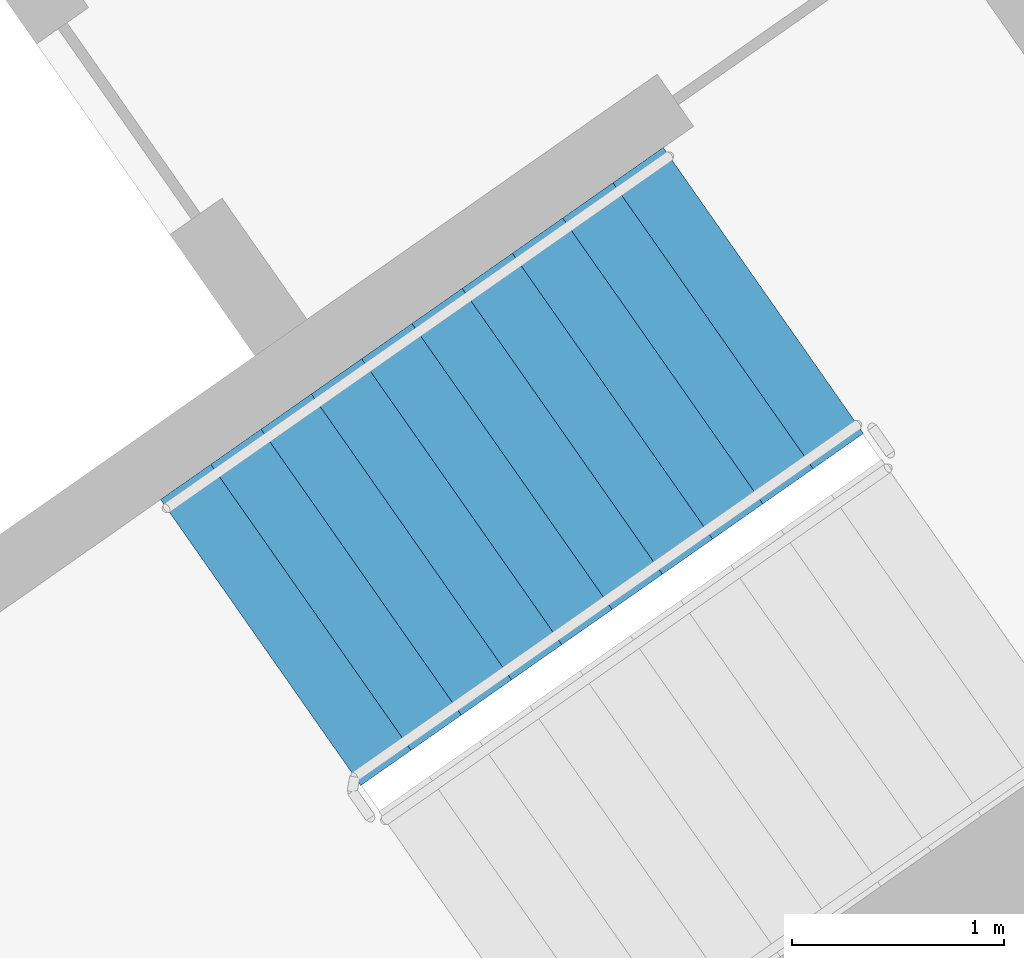
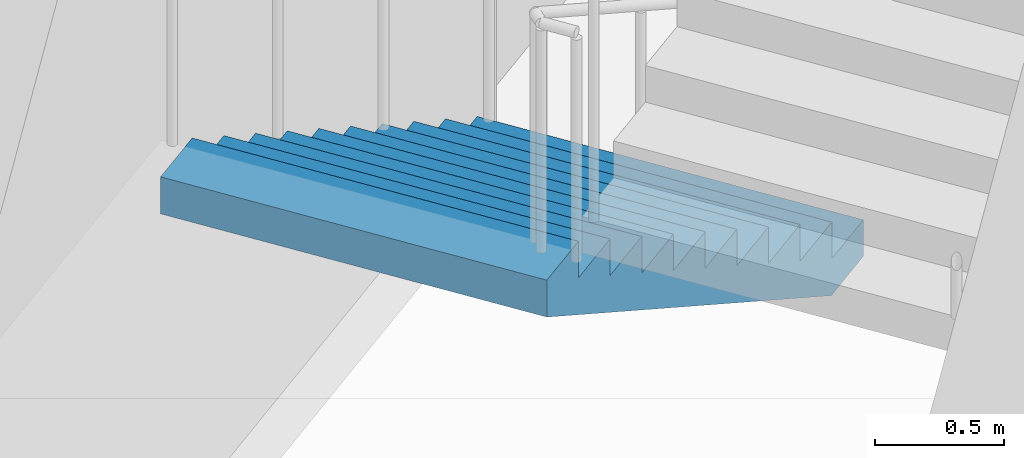
# One storey, part 17 of 32: 1 stair flight, 1 element without a shape of its own.
"""IFC4 building model written with IfcOpenShell, lengths in metres."""

from ifc_helpers import new_model, si_unit, direction, frame, origin, place, context, subcontext, project, spatial, faceted_brep, material, type_object, element, aggregate, save


model = new_model("IFC4")

# Units and contexts
model_context = context("Model", 3, precision=1e-05, world=origin(), true_north=direction((0.0, 1.0)))
body_context = subcontext(model_context, "Body", "Model", "MODEL_VIEW")
ifc_project = project(units=[si_unit("LENGTHUNIT", "METRE"), si_unit("AREAUNIT", "SQUARE_METRE"), si_unit("VOLUMEUNIT", "CUBIC_METRE"), si_unit("PLANEANGLEUNIT", "RADIAN"), si_unit("MASSUNIT", "GRAM", prefix="KILO")], contexts=[model_context])

# Site, building, storey
site_placement = place(None, origin())
site = spatial("IfcSite", under=ifc_project, at=site_placement, CompositionType="ELEMENT")
building_placement = place(site_placement, origin())
building = spatial("IfcBuilding", under=site, at=building_placement, Name="Qamariyya Broadcast Tower", CompositionType="ELEMENT")
storey_placement = place(building_placement, frame((0.0, 0.0, 63.300048828125)))
storey = spatial("IfcBuildingStorey", under=building, at=storey_placement, Name="L12", CompositionType="ELEMENT", Elevation=63.300048828125)

# Stair, stair flight
ifc_material = material(Name="Concrete C50/60", Category="concrete")
stair_type = type_object("IfcStairType", Name="Exit stair 22 risers of 173 mm", PredefinedType="HALF_TURN_STAIR", material=ifc_material)
stair_placement = place(storey_placement, origin())
stair = element("IfcStair", 1, at=stair_placement, inside=storey, type_object=stair_type, Name="L12 Stair E1", PredefinedType="HALF_TURN_STAIR")
stair_flight_type = type_object("IfcStairFlightType", Name="Exit stair flight 11 risers of 173 mm", PredefinedType="STRAIGHT", material=ifc_material)
stair_flight_placement = place(storey_placement, frame((46.036376953125, -55.508056640625, 0.0), z_axis=(0.0, 0.0, 1.0), x_axis=(-0.819152044289, -0.573576436351, 0.0)))
stair_flight = element("IfcStairFlight", 2, at=stair_flight_placement, type_object=stair_flight_type, Name="ST-E1 flight 1", NumberOfRisers=11, NumberOfTreads=10, PredefinedType="STRAIGHT", RiserHeight=0.172727273, TreadLength=0.29, context=body_context, shape_type="Brep", body=[
    faceted_brep([(0.0, 0.824951171875, 0.0), (0.0, 0.824951171875, 0.172607421875), (0.2900390625, 0.824951171875, 0.172607421875), (0.2900390625, 0.824951171875, 0.345458984375), (0.580078125, 0.824951171875, 0.345458984375), (0.580078125, 0.824951171875, 0.51806640625), (0.8701171875, 0.824951171875, 0.51806640625), (0.8701171875, 0.824951171875, 0.69091796875), (1.159912109375, 0.824951171875, 0.69091796875), (1.159912109375, 0.824951171875, 0.863525390625), (1.449951171875, 0.824951171875, 0.863525390625), (1.449951171875, 0.824951171875, 1.036376953125), (1.739990234375, 0.824951171875, 1.036376953125), (1.739990234375, 0.824951171875, 1.208984375), (2.030029296875, 0.824951171875, 1.208984375), (2.030029296875, 0.824951171875, 1.3818359375), (2.320068359375, 0.824951171875, 1.3818359375), (2.320068359375, 0.824951171875, 1.554443359375), (2.610107421875, 0.824951171875, 1.554443359375), (2.610107421875, 0.824951171875, 1.727294921875), (2.89990234375, 0.824951171875, 1.727294921875), (2.89990234375, 0.824951171875, 1.552734375), (0.29296875, 0.824951171875, 0.0), (0.29296875, -0.824951171875, 0.0), (2.89990234375, -0.824951171875, 1.552734375), (2.89990234375, -0.824951171875, 1.727294921875), (2.610107421875, -0.824951171875, 1.727294921875), (2.610107421875, -0.824951171875, 1.554443359375), (2.320068359375, -0.824951171875, 1.554443359375), (2.320068359375, -0.824951171875, 1.3818359375), (2.030029296875, -0.824951171875, 1.3818359375), (2.030029296875, -0.824951171875, 1.208984375), (1.739990234375, -0.824951171875, 1.208984375), (1.739990234375, -0.824951171875, 1.036376953125), (1.449951171875, -0.824951171875, 1.036376953125), (1.449951171875, -0.824951171875, 0.863525390625), (1.159912109375, -0.824951171875, 0.863525390625), (1.159912109375, -0.824951171875, 0.69091796875), (0.8701171875, -0.824951171875, 0.69091796875), (0.8701171875, -0.824951171875, 0.51806640625), (0.580078125, -0.824951171875, 0.51806640625), (0.580078125, -0.824951171875, 0.345458984375), (0.2900390625, -0.824951171875, 0.345458984375), (0.2900390625, -0.824951171875, 0.172607421875), (0.0, -0.824951171875, 0.172607421875), (0.0, -0.824951171875, 0.0), (0.0, 0.10009765625, 0.0), (0.0, 0.086669921875, 0.0), (0.0, 0.0732421875, 0.0), (0.0, 0.06005859375, 0.0), (0.0, 0.046630859375, 0.0), (0.0, 0.033447265625, 0.0), (0.0, 0.02001953125, 0.0), (0.0, 0.006591796875, 0.0), (0.0, -0.006591796875, 0.0), (0.0, -0.02001953125, 0.0), (0.0, -0.033447265625, 0.0), (0.0, -0.046630859375, 0.0), (0.0, -0.06005859375, 0.0), (0.0, -0.0732421875, 0.0), (0.0, -0.086669921875, 0.0), (0.0, -0.10009765625, 0.0), (0.0, -0.10009765625, 0.172607421875), (0.0, -0.086669921875, 0.172607421875), (0.0, -0.0732421875, 0.172607421875), (0.0, -0.06005859375, 0.172607421875), (0.0, -0.046630859375, 0.172607421875), (0.0, -0.033447265625, 0.172607421875), (0.0, -0.02001953125, 0.172607421875), (0.0, -0.006591796875, 0.172607421875), (0.0, 0.006591796875, 0.172607421875), (0.0, 0.02001953125, 0.172607421875), (0.0, 0.033447265625, 0.172607421875), (0.0, 0.046630859375, 0.172607421875), (0.0, 0.06005859375, 0.172607421875), (0.0, 0.0732421875, 0.172607421875), (0.0, 0.086669921875, 0.172607421875), (0.0, 0.10009765625, 0.172607421875), (0.2900390625, -0.10009765625, 0.172607421875), (0.2900390625, -0.086669921875, 0.172607421875), (0.2900390625, -0.0732421875, 0.172607421875), (0.2900390625, -0.06005859375, 0.172607421875), (0.2900390625, -0.046630859375, 0.172607421875), (0.2900390625, -0.033447265625, 0.172607421875), (0.2900390625, -0.02001953125, 0.172607421875), (0.2900390625, -0.006591796875, 0.172607421875), (0.2900390625, 0.006591796875, 0.172607421875), (0.2900390625, 0.02001953125, 0.172607421875), (0.2900390625, 0.033447265625, 0.172607421875), (0.2900390625, 0.046630859375, 0.172607421875), (0.2900390625, 0.06005859375, 0.172607421875), (0.2900390625, 0.0732421875, 0.172607421875), (0.2900390625, 0.086669921875, 0.172607421875), (0.2900390625, 0.10009765625, 0.172607421875), (0.2900390625, -0.10009765625, 0.345458984375), (0.2900390625, -0.086669921875, 0.345458984375), (0.2900390625, -0.0732421875, 0.345458984375), (0.2900390625, -0.06005859375, 0.345458984375), (0.2900390625, -0.046630859375, 0.345458984375), (0.2900390625, -0.033447265625, 0.345458984375), (0.2900390625, -0.02001953125, 0.345458984375), (0.2900390625, -0.006591796875, 0.345458984375), (0.2900390625, 0.006591796875, 0.345458984375), (0.2900390625, 0.02001953125, 0.345458984375), (0.2900390625, 0.033447265625, 0.345458984375), (0.2900390625, 0.046630859375, 0.345458984375), (0.2900390625, 0.06005859375, 0.345458984375), (0.2900390625, 0.0732421875, 0.345458984375), (0.2900390625, 0.086669921875, 0.345458984375), (0.2900390625, 0.10009765625, 0.345458984375), (0.580078125, -0.10009765625, 0.345458984375), (0.580078125, -0.086669921875, 0.345458984375), (0.580078125, -0.0732421875, 0.345458984375), (0.580078125, -0.06005859375, 0.345458984375), (0.580078125, -0.046630859375, 0.345458984375), (0.580078125, -0.033447265625, 0.345458984375), (0.580078125, -0.02001953125, 0.345458984375), (0.580078125, -0.006591796875, 0.345458984375), (0.580078125, 0.006591796875, 0.345458984375), (0.580078125, 0.02001953125, 0.345458984375), (0.580078125, 0.033447265625, 0.345458984375), (0.580078125, 0.046630859375, 0.345458984375), (0.580078125, 0.06005859375, 0.345458984375), (0.580078125, 0.0732421875, 0.345458984375), (0.580078125, 0.086669921875, 0.345458984375), (0.580078125, 0.10009765625, 0.345458984375), (0.580078125, -0.10009765625, 0.51806640625), (0.580078125, -0.086669921875, 0.51806640625), (0.580078125, -0.0732421875, 0.51806640625), (0.580078125, -0.06005859375, 0.51806640625), (0.580078125, -0.046630859375, 0.51806640625), (0.580078125, -0.033447265625, 0.51806640625), (0.580078125, -0.02001953125, 0.51806640625), (0.580078125, -0.006591796875, 0.51806640625), (0.580078125, 0.006591796875, 0.51806640625), (0.580078125, 0.02001953125, 0.51806640625), (0.580078125, 0.033447265625, 0.51806640625), (0.580078125, 0.046630859375, 0.51806640625), (0.580078125, 0.06005859375, 0.51806640625), (0.580078125, 0.0732421875, 0.51806640625), (0.580078125, 0.086669921875, 0.51806640625), (0.580078125, 0.10009765625, 0.51806640625), (0.8701171875, -0.10009765625, 0.51806640625), (0.8701171875, -0.086669921875, 0.51806640625), (0.8701171875, -0.0732421875, 0.51806640625), (0.8701171875, -0.06005859375, 0.51806640625), (0.8701171875, -0.046630859375, 0.51806640625), (0.8701171875, -0.033447265625, 0.51806640625), (0.8701171875, -0.02001953125, 0.51806640625), (0.8701171875, -0.006591796875, 0.51806640625), (0.8701171875, 0.006591796875, 0.51806640625), (0.8701171875, 0.02001953125, 0.51806640625), (0.8701171875, 0.033447265625, 0.51806640625), (0.8701171875, 0.046630859375, 0.51806640625), (0.8701171875, 0.06005859375, 0.51806640625), (0.8701171875, 0.0732421875, 0.51806640625), (0.8701171875, 0.086669921875, 0.51806640625), (0.8701171875, 0.10009765625, 0.51806640625), (0.8701171875, -0.10009765625, 0.69091796875), (0.8701171875, -0.086669921875, 0.69091796875), (0.8701171875, -0.0732421875, 0.69091796875), (0.8701171875, -0.06005859375, 0.69091796875), (0.8701171875, -0.046630859375, 0.69091796875), (0.8701171875, -0.033447265625, 0.69091796875), (0.8701171875, -0.02001953125, 0.69091796875), (0.8701171875, -0.006591796875, 0.69091796875), (0.8701171875, 0.006591796875, 0.69091796875), (0.8701171875, 0.02001953125, 0.69091796875), (0.8701171875, 0.033447265625, 0.69091796875), (0.8701171875, 0.046630859375, 0.69091796875), (0.8701171875, 0.06005859375, 0.69091796875), (0.8701171875, 0.0732421875, 0.69091796875), (0.8701171875, 0.086669921875, 0.69091796875), (0.8701171875, 0.10009765625, 0.69091796875), (1.159912109375, -0.10009765625, 0.69091796875), (1.159912109375, -0.086669921875, 0.69091796875), (1.159912109375, -0.0732421875, 0.69091796875), (1.159912109375, -0.06005859375, 0.69091796875), (1.159912109375, -0.046630859375, 0.69091796875), (1.159912109375, -0.033447265625, 0.69091796875), (1.159912109375, -0.02001953125, 0.69091796875), (1.159912109375, -0.006591796875, 0.69091796875), (1.159912109375, 0.006591796875, 0.69091796875), (1.159912109375, 0.02001953125, 0.69091796875), (1.159912109375, 0.033447265625, 0.69091796875), (1.159912109375, 0.046630859375, 0.69091796875), (1.159912109375, 0.06005859375, 0.69091796875), (1.159912109375, 0.0732421875, 0.69091796875), (1.159912109375, 0.086669921875, 0.69091796875), (1.159912109375, 0.10009765625, 0.69091796875), (1.159912109375, -0.10009765625, 0.863525390625), (1.159912109375, -0.086669921875, 0.863525390625), (1.159912109375, -0.0732421875, 0.863525390625), (1.159912109375, -0.06005859375, 0.863525390625), (1.159912109375, -0.046630859375, 0.863525390625), (1.159912109375, -0.033447265625, 0.863525390625), (1.159912109375, -0.02001953125, 0.863525390625), (1.159912109375, -0.006591796875, 0.863525390625), (1.159912109375, 0.006591796875, 0.863525390625), (1.159912109375, 0.02001953125, 0.863525390625), (1.159912109375, 0.033447265625, 0.863525390625), (1.159912109375, 0.046630859375, 0.863525390625), (1.159912109375, 0.06005859375, 0.863525390625), (1.159912109375, 0.0732421875, 0.863525390625), (1.159912109375, 0.086669921875, 0.863525390625), (1.159912109375, 0.10009765625, 0.863525390625), (1.449951171875, -0.10009765625, 0.863525390625), (1.449951171875, -0.086669921875, 0.863525390625), (1.449951171875, -0.0732421875, 0.863525390625), (1.449951171875, -0.06005859375, 0.863525390625), (1.449951171875, -0.046630859375, 0.863525390625), (1.449951171875, -0.033447265625, 0.863525390625), (1.449951171875, -0.02001953125, 0.863525390625), (1.449951171875, -0.006591796875, 0.863525390625), (1.449951171875, 0.006591796875, 0.863525390625), (1.449951171875, 0.02001953125, 0.863525390625), (1.449951171875, 0.033447265625, 0.863525390625), (1.449951171875, 0.046630859375, 0.863525390625), (1.449951171875, 0.06005859375, 0.863525390625), (1.449951171875, 0.0732421875, 0.863525390625), (1.449951171875, 0.086669921875, 0.863525390625), (1.449951171875, 0.10009765625, 0.863525390625), (1.449951171875, -0.10009765625, 1.036376953125), (1.449951171875, -0.086669921875, 1.036376953125), (1.449951171875, -0.0732421875, 1.036376953125), (1.449951171875, -0.06005859375, 1.036376953125), (1.449951171875, -0.046630859375, 1.036376953125), (1.449951171875, -0.033447265625, 1.036376953125), (1.449951171875, -0.02001953125, 1.036376953125), (1.449951171875, -0.006591796875, 1.036376953125), (1.449951171875, 0.006591796875, 1.036376953125), (1.449951171875, 0.02001953125, 1.036376953125), (1.449951171875, 0.033447265625, 1.036376953125), (1.449951171875, 0.046630859375, 1.036376953125), (1.449951171875, 0.06005859375, 1.036376953125), (1.449951171875, 0.0732421875, 1.036376953125), (1.449951171875, 0.086669921875, 1.036376953125), (1.449951171875, 0.10009765625, 1.036376953125), (1.739990234375, -0.10009765625, 1.036376953125), (1.739990234375, -0.086669921875, 1.036376953125), (1.739990234375, -0.0732421875, 1.036376953125), (1.739990234375, -0.06005859375, 1.036376953125), (1.739990234375, -0.046630859375, 1.036376953125), (1.739990234375, -0.033447265625, 1.036376953125), (1.739990234375, -0.02001953125, 1.036376953125), (1.739990234375, -0.006591796875, 1.036376953125), (1.739990234375, 0.006591796875, 1.036376953125), (1.739990234375, 0.02001953125, 1.036376953125), (1.739990234375, 0.033447265625, 1.036376953125), (1.739990234375, 0.046630859375, 1.036376953125), (1.739990234375, 0.06005859375, 1.036376953125), (1.739990234375, 0.0732421875, 1.036376953125), (1.739990234375, 0.086669921875, 1.036376953125), (1.739990234375, 0.10009765625, 1.036376953125), (1.739990234375, -0.10009765625, 1.208984375), (1.739990234375, -0.086669921875, 1.208984375), (1.739990234375, -0.0732421875, 1.208984375), (1.739990234375, -0.06005859375, 1.208984375), (1.739990234375, -0.046630859375, 1.208984375), (1.739990234375, -0.033447265625, 1.208984375), (1.739990234375, -0.02001953125, 1.208984375), (1.739990234375, -0.006591796875, 1.208984375), (1.739990234375, 0.006591796875, 1.208984375), (1.739990234375, 0.02001953125, 1.208984375), (1.739990234375, 0.033447265625, 1.208984375), (1.739990234375, 0.046630859375, 1.208984375), (1.739990234375, 0.06005859375, 1.208984375), (1.739990234375, 0.0732421875, 1.208984375), (1.739990234375, 0.086669921875, 1.208984375), (1.739990234375, 0.10009765625, 1.208984375), (2.030029296875, -0.10009765625, 1.208984375), (2.030029296875, -0.086669921875, 1.208984375), (2.030029296875, -0.0732421875, 1.208984375), (2.030029296875, -0.06005859375, 1.208984375), (2.030029296875, -0.046630859375, 1.208984375), (2.030029296875, -0.033447265625, 1.208984375), (2.030029296875, -0.02001953125, 1.208984375), (2.030029296875, -0.006591796875, 1.208984375), (2.030029296875, 0.006591796875, 1.208984375), (2.030029296875, 0.02001953125, 1.208984375), (2.030029296875, 0.033447265625, 1.208984375), (2.030029296875, 0.046630859375, 1.208984375), (2.030029296875, 0.06005859375, 1.208984375), (2.030029296875, 0.0732421875, 1.208984375), (2.030029296875, 0.086669921875, 1.208984375), (2.030029296875, 0.10009765625, 1.208984375), (2.030029296875, -0.10009765625, 1.3818359375), (2.030029296875, -0.086669921875, 1.3818359375), (2.030029296875, -0.0732421875, 1.3818359375), (2.030029296875, -0.06005859375, 1.3818359375), (2.030029296875, -0.046630859375, 1.3818359375), (2.030029296875, -0.033447265625, 1.3818359375), (2.030029296875, -0.02001953125, 1.3818359375), (2.030029296875, -0.006591796875, 1.3818359375), (2.030029296875, 0.006591796875, 1.3818359375), (2.030029296875, 0.02001953125, 1.3818359375), (2.030029296875, 0.033447265625, 1.3818359375), (2.030029296875, 0.046630859375, 1.3818359375), (2.030029296875, 0.06005859375, 1.3818359375), (2.030029296875, 0.0732421875, 1.3818359375), (2.030029296875, 0.086669921875, 1.3818359375), (2.030029296875, 0.10009765625, 1.3818359375), (2.320068359375, -0.10009765625, 1.3818359375), (2.320068359375, -0.086669921875, 1.3818359375), (2.320068359375, -0.0732421875, 1.3818359375), (2.320068359375, -0.06005859375, 1.3818359375), (2.320068359375, -0.046630859375, 1.3818359375), (2.320068359375, -0.033447265625, 1.3818359375), (2.320068359375, -0.02001953125, 1.3818359375), (2.320068359375, -0.006591796875, 1.3818359375), (2.320068359375, 0.006591796875, 1.3818359375), (2.320068359375, 0.02001953125, 1.3818359375), (2.320068359375, 0.033447265625, 1.3818359375), (2.320068359375, 0.046630859375, 1.3818359375), (2.320068359375, 0.06005859375, 1.3818359375), (2.320068359375, 0.0732421875, 1.3818359375), (2.320068359375, 0.086669921875, 1.3818359375), (2.320068359375, 0.10009765625, 1.3818359375), (2.320068359375, -0.10009765625, 1.554443359375), (2.320068359375, -0.086669921875, 1.554443359375), (2.320068359375, -0.0732421875, 1.554443359375), (2.320068359375, -0.06005859375, 1.554443359375), (2.320068359375, -0.046630859375, 1.554443359375), (2.320068359375, -0.033447265625, 1.554443359375), (2.320068359375, -0.02001953125, 1.554443359375), (2.320068359375, -0.006591796875, 1.554443359375), (2.320068359375, 0.006591796875, 1.554443359375), (2.320068359375, 0.02001953125, 1.554443359375), (2.320068359375, 0.033447265625, 1.554443359375), (2.320068359375, 0.046630859375, 1.554443359375), (2.320068359375, 0.06005859375, 1.554443359375), (2.320068359375, 0.0732421875, 1.554443359375), (2.320068359375, 0.086669921875, 1.554443359375), (2.320068359375, 0.10009765625, 1.554443359375), (2.610107421875, -0.10009765625, 1.554443359375), (2.610107421875, -0.086669921875, 1.554443359375), (2.610107421875, -0.0732421875, 1.554443359375), (2.610107421875, -0.06005859375, 1.554443359375), (2.610107421875, -0.046630859375, 1.554443359375), (2.610107421875, -0.033447265625, 1.554443359375), (2.610107421875, -0.02001953125, 1.554443359375), (2.610107421875, -0.006591796875, 1.554443359375), (2.610107421875, 0.006591796875, 1.554443359375), (2.610107421875, 0.02001953125, 1.554443359375), (2.610107421875, 0.033447265625, 1.554443359375), (2.610107421875, 0.046630859375, 1.554443359375), (2.610107421875, 0.06005859375, 1.554443359375), (2.610107421875, 0.0732421875, 1.554443359375), (2.610107421875, 0.086669921875, 1.554443359375), (2.610107421875, 0.10009765625, 1.554443359375), (2.610107421875, -0.10009765625, 1.727294921875), (2.610107421875, -0.086669921875, 1.727294921875), (2.610107421875, -0.0732421875, 1.727294921875), (2.610107421875, -0.06005859375, 1.727294921875), (2.610107421875, -0.046630859375, 1.727294921875), (2.610107421875, -0.033447265625, 1.727294921875), (2.610107421875, -0.02001953125, 1.727294921875), (2.610107421875, -0.006591796875, 1.727294921875), (2.610107421875, 0.006591796875, 1.727294921875), (2.610107421875, 0.02001953125, 1.727294921875), (2.610107421875, 0.033447265625, 1.727294921875), (2.610107421875, 0.046630859375, 1.727294921875), (2.610107421875, 0.06005859375, 1.727294921875), (2.610107421875, 0.0732421875, 1.727294921875), (2.610107421875, 0.086669921875, 1.727294921875), (2.610107421875, 0.10009765625, 1.727294921875), (2.89990234375, -0.10009765625, 1.727294921875), (2.89990234375, -0.086669921875, 1.727294921875), (2.89990234375, -0.0732421875, 1.727294921875), (2.89990234375, -0.06005859375, 1.727294921875), (2.89990234375, -0.046630859375, 1.727294921875), (2.89990234375, -0.033447265625, 1.727294921875), (2.89990234375, -0.02001953125, 1.727294921875), (2.89990234375, -0.006591796875, 1.727294921875), (2.89990234375, 0.006591796875, 1.727294921875), (2.89990234375, 0.02001953125, 1.727294921875), (2.89990234375, 0.033447265625, 1.727294921875), (2.89990234375, 0.046630859375, 1.727294921875), (2.89990234375, 0.06005859375, 1.727294921875), (2.89990234375, 0.0732421875, 1.727294921875), (2.89990234375, 0.086669921875, 1.727294921875), (2.89990234375, 0.10009765625, 1.727294921875), (2.89990234375, -0.10009765625, 1.552734375), (2.89990234375, -0.086669921875, 1.552734375), (2.89990234375, -0.0732421875, 1.552734375), (2.89990234375, -0.06005859375, 1.552734375), (2.89990234375, -0.046630859375, 1.552734375), (2.89990234375, -0.033447265625, 1.552734375), (2.89990234375, -0.02001953125, 1.552734375), (2.89990234375, -0.006591796875, 1.552734375), (2.89990234375, 0.006591796875, 1.552734375), (2.89990234375, 0.02001953125, 1.552734375), (2.89990234375, 0.033447265625, 1.552734375), (2.89990234375, 0.046630859375, 1.552734375), (2.89990234375, 0.06005859375, 1.552734375), (2.89990234375, 0.0732421875, 1.552734375), (2.89990234375, 0.086669921875, 1.552734375), (2.89990234375, 0.10009765625, 1.552734375), (0.29296875, -0.10009765625, 0.0), (0.29296875, -0.086669921875, 0.0), (0.29296875, -0.0732421875, 0.0), (0.29296875, -0.06005859375, 0.0), (0.29296875, -0.046630859375, 0.0), (0.29296875, -0.033447265625, 0.0), (0.29296875, -0.02001953125, 0.0), (0.29296875, -0.006591796875, 0.0), (0.29296875, 0.006591796875, 0.0), (0.29296875, 0.02001953125, 0.0), (0.29296875, 0.033447265625, 0.0), (0.29296875, 0.046630859375, 0.0), (0.29296875, 0.06005859375, 0.0), (0.29296875, 0.0732421875, 0.0), (0.29296875, 0.086669921875, 0.0), (0.29296875, 0.10009765625, 0.0)], [[[0, 1, 2, 3, 4, 5, 6, 7, 8, 9, 10, 11, 12, 13, 14, 15, 16, 17, 18, 19, 20, 21, 22]], [[23, 24, 25, 26, 27, 28, 29, 30, 31, 32, 33, 34, 35, 36, 37, 38, 39, 40, 41, 42, 43, 44, 45]], [[0, 46, 47, 48, 49, 50, 51, 52, 53, 54, 55, 56, 57, 58, 59, 60, 61, 45, 44, 62, 63, 64, 65, 66, 67, 68, 69, 70, 71, 72, 73, 74, 75, 76, 77, 1]], [[1, 77, 76, 75, 74, 73, 72, 71, 70, 69, 68, 67, 66, 65, 64, 63, 62, 44, 43, 78, 79, 80, 81, 82, 83, 84, 85, 86, 87, 88, 89, 90, 91, 92, 93, 2]], [[2, 93, 92, 91, 90, 89, 88, 87, 86, 85, 84, 83, 82, 81, 80, 79, 78, 43, 42, 94, 95, 96, 97, 98, 99, 100, 101, 102, 103, 104, 105, 106, 107, 108, 109, 3]], [[3, 109, 108, 107, 106, 105, 104, 103, 102, 101, 100, 99, 98, 97, 96, 95, 94, 42, 41, 110, 111, 112, 113, 114, 115, 116, 117, 118, 119, 120, 121, 122, 123, 124, 125, 4]], [[4, 125, 124, 123, 122, 121, 120, 119, 118, 117, 116, 115, 114, 113, 112, 111, 110, 41, 40, 126, 127, 128, 129, 130, 131, 132, 133, 134, 135, 136, 137, 138, 139, 140, 141, 5]], [[5, 141, 140, 139, 138, 137, 136, 135, 134, 133, 132, 131, 130, 129, 128, 127, 126, 40, 39, 142, 143, 144, 145, 146, 147, 148, 149, 150, 151, 152, 153, 154, 155, 156, 157, 6]], [[6, 157, 156, 155, 154, 153, 152, 151, 150, 149, 148, 147, 146, 145, 144, 143, 142, 39, 38, 158, 159, 160, 161, 162, 163, 164, 165, 166, 167, 168, 169, 170, 171, 172, 173, 7]], [[7, 173, 172, 171, 170, 169, 168, 167, 166, 165, 164, 163, 162, 161, 160, 159, 158, 38, 37, 174, 175, 176, 177, 178, 179, 180, 181, 182, 183, 184, 185, 186, 187, 188, 189, 8]], [[8, 189, 188, 187, 186, 185, 184, 183, 182, 181, 180, 179, 178, 177, 176, 175, 174, 37, 36, 190, 191, 192, 193, 194, 195, 196, 197, 198, 199, 200, 201, 202, 203, 204, 205, 9]], [[9, 205, 204, 203, 202, 201, 200, 199, 198, 197, 196, 195, 194, 193, 192, 191, 190, 36, 35, 206, 207, 208, 209, 210, 211, 212, 213, 214, 215, 216, 217, 218, 219, 220, 221, 10]], [[10, 221, 220, 219, 218, 217, 216, 215, 214, 213, 212, 211, 210, 209, 208, 207, 206, 35, 34, 222, 223, 224, 225, 226, 227, 228, 229, 230, 231, 232, 233, 234, 235, 236, 237, 11]], [[11, 237, 236, 235, 234, 233, 232, 231, 230, 229, 228, 227, 226, 225, 224, 223, 222, 34, 33, 238, 239, 240, 241, 242, 243, 244, 245, 246, 247, 248, 249, 250, 251, 252, 253, 12]], [[12, 253, 252, 251, 250, 249, 248, 247, 246, 245, 244, 243, 242, 241, 240, 239, 238, 33, 32, 254, 255, 256, 257, 258, 259, 260, 261, 262, 263, 264, 265, 266, 267, 268, 269, 13]], [[13, 269, 268, 267, 266, 265, 264, 263, 262, 261, 260, 259, 258, 257, 256, 255, 254, 32, 31, 270, 271, 272, 273, 274, 275, 276, 277, 278, 279, 280, 281, 282, 283, 284, 285, 14]], [[14, 285, 284, 283, 282, 281, 280, 279, 278, 277, 276, 275, 274, 273, 272, 271, 270, 31, 30, 286, 287, 288, 289, 290, 291, 292, 293, 294, 295, 296, 297, 298, 299, 300, 301, 15]], [[15, 301, 300, 299, 298, 297, 296, 295, 294, 293, 292, 291, 290, 289, 288, 287, 286, 30, 29, 302, 303, 304, 305, 306, 307, 308, 309, 310, 311, 312, 313, 314, 315, 316, 317, 16]], [[16, 317, 316, 315, 314, 313, 312, 311, 310, 309, 308, 307, 306, 305, 304, 303, 302, 29, 28, 318, 319, 320, 321, 322, 323, 324, 325, 326, 327, 328, 329, 330, 331, 332, 333, 17]], [[17, 333, 332, 331, 330, 329, 328, 327, 326, 325, 324, 323, 322, 321, 320, 319, 318, 28, 27, 334, 335, 336, 337, 338, 339, 340, 341, 342, 343, 344, 345, 346, 347, 348, 349, 18]], [[18, 349, 348, 347, 346, 345, 344, 343, 342, 341, 340, 339, 338, 337, 336, 335, 334, 27, 26, 350, 351, 352, 353, 354, 355, 356, 357, 358, 359, 360, 361, 362, 363, 364, 365, 19]], [[19, 365, 364, 363, 362, 361, 360, 359, 358, 357, 356, 355, 354, 353, 352, 351, 350, 26, 25, 366, 367, 368, 369, 370, 371, 372, 373, 374, 375, 376, 377, 378, 379, 380, 381, 20]], [[20, 381, 380, 379, 378, 377, 376, 375, 374, 373, 372, 371, 370, 369, 368, 367, 366, 25, 24, 382, 383, 384, 385, 386, 387, 388, 389, 390, 391, 392, 393, 394, 395, 396, 397, 21]], [[21, 397, 396, 395, 394, 393, 392, 391, 390, 389, 388, 387, 386, 385, 384, 383, 382, 24, 23, 398, 399, 400, 401, 402, 403, 404, 405, 406, 407, 408, 409, 410, 411, 412, 413, 22]], [[22, 413, 412, 411, 410, 409, 408, 407, 406, 405, 404, 403, 402, 401, 400, 399, 398, 23, 45, 61, 60, 59, 58, 57, 56, 55, 54, 53, 52, 51, 50, 49, 48, 47, 46, 0]]]),
])
aggregate(stair, [stair_flight])

save(model, "model.ifc")
